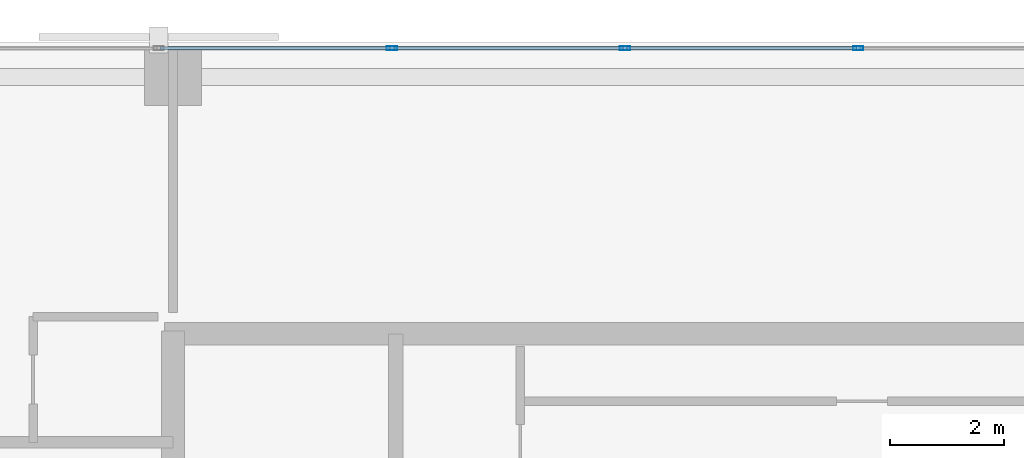
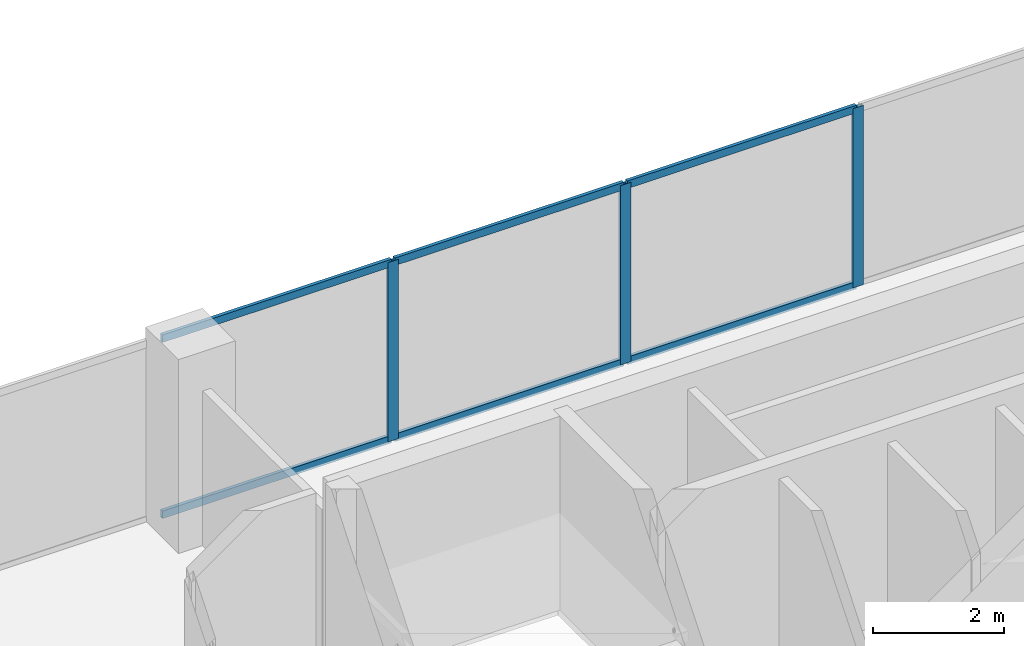
# One storey, part 21 of 32: 9 members, 1 element without a shape of its own.
"""IFC4 building model written with IfcOpenShell, lengths in metres."""

from ifc_helpers import new_model, si_unit, direction, frame, origin, origin_2d, place, context, subcontext, project, spatial, hollow_rectangle, extrude, material, layer, layer_set, material_profile, profile_set, type_object, element, aggregate, save


model = new_model("IFC4")

# Units and contexts
model_context = context("Model", 3, precision=1e-05, world=origin(), true_north=direction((0.0, 1.0)))
body_context = subcontext(model_context, "Body", "Model", "MODEL_VIEW")
ifc_project = project(units=[si_unit("LENGTHUNIT", "METRE"), si_unit("AREAUNIT", "SQUARE_METRE"), si_unit("VOLUMEUNIT", "CUBIC_METRE"), si_unit("PLANEANGLEUNIT", "RADIAN"), si_unit("MASSUNIT", "GRAM", prefix="KILO")], contexts=[model_context])

# Site, building, storey
site_placement = place(None, origin())
site = spatial("IfcSite", under=ifc_project, at=site_placement, CompositionType="ELEMENT")
building_placement = place(site_placement, origin())
building = spatial("IfcBuilding", under=site, at=building_placement, Name="Catumbela Crestline Tower", CompositionType="ELEMENT")
storey_placement = place(building_placement, frame((0.0, 0.0, 29.4)))
storey = spatial("IfcBuildingStorey", under=building, at=storey_placement, Name="L06", CompositionType="ELEMENT", Elevation=29.4)

# Curtain wall, members
ifc_material = material(Name="Aluminium alloy AW-6060-T66", Category="aluminium")
ifc_layer = layer(ifc_material, 0.18, Name="Aluminium alloy AW-6060-T66")
ifc_layer_set = layer_set([ifc_layer], Name="Aluminium alloy AW-6060-T66")
curtain_wall_type = type_object("IfcCurtainWallType", Name="CWU-Z1", PredefinedType="USERDEFINED", material=ifc_layer_set)
curtain_wall_placement = place(storey_placement, origin())
curtain_wall = element("IfcCurtainWall", 1, at=curtain_wall_placement, inside=storey, type_object=curtain_wall_type, Name="L06 Unitised Curtain Wall CW-L06-E7S1", ObjectType="UNITISED", PredefinedType="USERDEFINED")
ifc_material_profile_1 = material_profile(ifc_material, hollow_rectangle(XDim=0.065, YDim=0.18, WallThickness=0.004, at=origin_2d()), Name="ALU 180x65x4")
ifc_profile_set_1 = profile_set([ifc_material_profile_1], Name="Aluminium alloy AW-6060-T66")
member_type_1 = type_object("IfcMemberType", Name="MUL-180X65", PredefinedType="MULLION", material=ifc_profile_set_1)
member_1_placement = place(storey_placement, frame((28.0, 47.9, 0.0), z_axis=(0.0, 0.0, 1.0), x_axis=(0.0, -1.0, 0.0)))
member_1 = element("IfcMember", 2, at=member_1_placement, type_object=member_type_1, Name="CWU-Z1 mullion 7", PredefinedType="MULLION", context=body_context, shape_type="SweptSolid", body=[
    extrude(hollow_rectangle(XDim=0.065, YDim=0.18, WallThickness=0.004, at=origin_2d()), origin(), (0.0, 0.0, 1.0), 3.33),
])
member_2_placement = place(storey_placement, frame((23.9167, 47.9, 0.0), z_axis=(0.0, 0.0, 1.0), x_axis=(0.0, -1.0, 0.0)))
member_2 = element("IfcMember", 3, at=member_2_placement, type_object=member_type_1, Name="CWU-Z1 mullion 8", PredefinedType="MULLION", context=body_context, shape_type="SweptSolid", body=[
    extrude(hollow_rectangle(XDim=0.065, YDim=0.18, WallThickness=0.004, at=origin_2d()), origin(), (0.0, 0.0, 1.0), 3.33),
])
member_3_placement = place(storey_placement, frame((19.8333, 47.9, 0.0), z_axis=(0.0, 0.0, 1.0), x_axis=(0.0, -1.0, 0.0)))
member_3 = element("IfcMember", 4, at=member_3_placement, type_object=member_type_1, Name="CWU-Z1 mullion 9", PredefinedType="MULLION", context=body_context, shape_type="SweptSolid", body=[
    extrude(hollow_rectangle(XDim=0.065, YDim=0.18, WallThickness=0.004, at=origin_2d()), origin(), (0.0, 0.0, 1.0), 3.33),
])
ifc_material_profile_2 = material_profile(ifc_material, hollow_rectangle(XDim=0.06, YDim=0.14, WallThickness=0.004, at=origin_2d()), Name="ALU 140x60x4")
ifc_profile_set_2 = profile_set([ifc_material_profile_2], Name="Aluminium alloy AW-6060-T66")
member_type_2 = type_object("IfcMemberType", Name="TRN-140X60", PredefinedType="USERDEFINED", material=ifc_profile_set_2)
member_4_placement = place(storey_placement, frame((27.9675, 47.9, 0.03), z_axis=(-1.0, 0.0, 0.0), x_axis=(0.0, -1.0, 0.0)))
member_4 = element("IfcMember", 5, at=member_4_placement, type_object=member_type_2, Name="CWU-Z1 transom 7.1", ObjectType="TRANSOM", PredefinedType="USERDEFINED", context=body_context, shape_type="SweptSolid", body=[
    extrude(hollow_rectangle(XDim=0.06, YDim=0.14, WallThickness=0.004, at=origin_2d()), origin(), (0.0, 0.0, 1.0), 4.0183),
])
member_5_placement = place(storey_placement, frame((27.9675, 47.9, 3.3), z_axis=(-1.0, 0.0, 0.0), x_axis=(0.0, -1.0, 0.0)))
member_5 = element("IfcMember", 6, at=member_5_placement, type_object=member_type_2, Name="CWU-Z1 transom 7.2", ObjectType="TRANSOM", PredefinedType="USERDEFINED", context=body_context, shape_type="SweptSolid", body=[
    extrude(hollow_rectangle(XDim=0.06, YDim=0.14, WallThickness=0.004, at=origin_2d()), origin(), (0.0, 0.0, 1.0), 4.0183),
])
member_6_placement = place(storey_placement, frame((23.8842, 47.9, 0.03), z_axis=(-1.0, 0.0, 0.0), x_axis=(0.0, -1.0, 0.0)))
member_6 = element("IfcMember", 7, at=member_6_placement, type_object=member_type_2, Name="CWU-Z1 transom 8.1", ObjectType="TRANSOM", PredefinedType="USERDEFINED", context=body_context, shape_type="SweptSolid", body=[
    extrude(hollow_rectangle(XDim=0.06, YDim=0.14, WallThickness=0.004, at=origin_2d()), origin(), (0.0, 0.0, 1.0), 4.0184),
])
member_7_placement = place(storey_placement, frame((23.8842, 47.9, 3.3), z_axis=(-1.0, 0.0, 0.0), x_axis=(0.0, -1.0, 0.0)))
member_7 = element("IfcMember", 8, at=member_7_placement, type_object=member_type_2, Name="CWU-Z1 transom 8.2", ObjectType="TRANSOM", PredefinedType="USERDEFINED", context=body_context, shape_type="SweptSolid", body=[
    extrude(hollow_rectangle(XDim=0.06, YDim=0.14, WallThickness=0.004, at=origin_2d()), origin(), (0.0, 0.0, 1.0), 4.0184),
])
member_8_placement = place(storey_placement, frame((19.8008, 47.9, 0.03), z_axis=(-1.0, 0.0, 0.0), x_axis=(0.0, -1.0, 0.0)))
member_8 = element("IfcMember", 9, at=member_8_placement, type_object=member_type_2, Name="CWU-Z1 transom 9.1", ObjectType="TRANSOM", PredefinedType="USERDEFINED", context=body_context, shape_type="SweptSolid", body=[
    extrude(hollow_rectangle(XDim=0.06, YDim=0.14, WallThickness=0.004, at=origin_2d()), origin(), (0.0, 0.0, 1.0), 4.0183),
])
member_9_placement = place(storey_placement, frame((19.8008, 47.9, 3.3), z_axis=(-1.0, 0.0, 0.0), x_axis=(0.0, -1.0, 0.0)))
member_9 = element("IfcMember", 10, at=member_9_placement, type_object=member_type_2, Name="CWU-Z1 transom 9.2", ObjectType="TRANSOM", PredefinedType="USERDEFINED", context=body_context, shape_type="SweptSolid", body=[
    extrude(hollow_rectangle(XDim=0.06, YDim=0.14, WallThickness=0.004, at=origin_2d()), origin(), (0.0, 0.0, 1.0), 4.0183),
])
aggregate(curtain_wall, [member_1, member_2, member_3, member_4, member_5, member_6, member_7, member_8, member_9])

save(model, "model.ifc")
